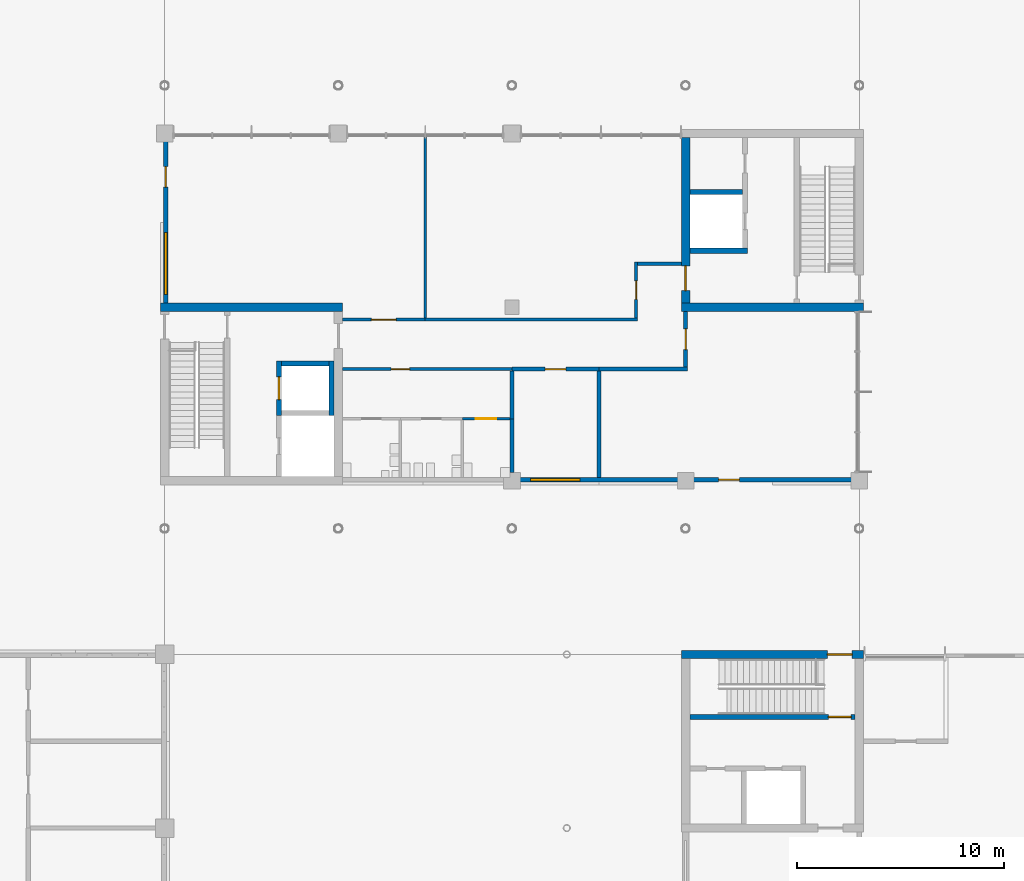
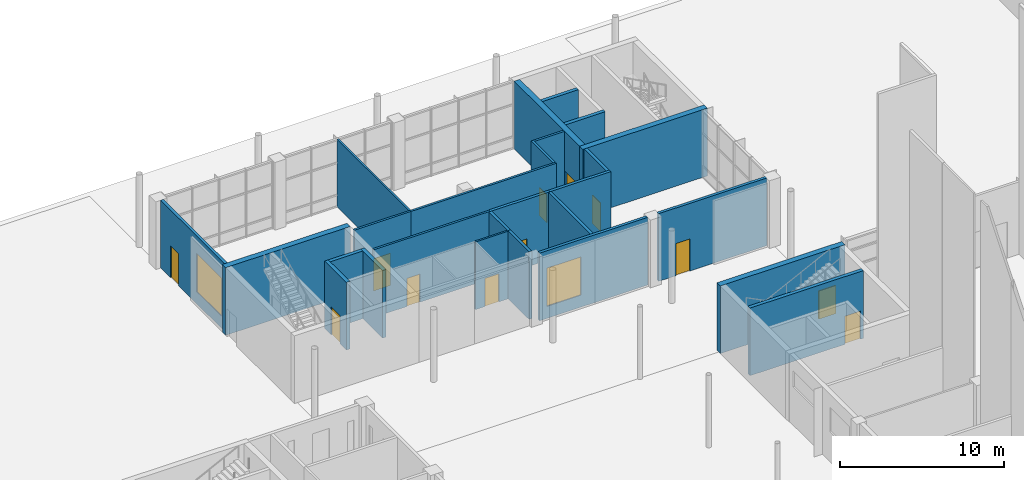
# One storey, part 45 of 76: 26 walls, 12 doors, 2 windows, 14 openings.
"""IFC4 building model written with IfcOpenShell, lengths in metres."""

import ifcopenshell
import ifcopenshell.guid

model = None  # the IFC model being written
_history = None  # IfcOwnerHistory: only IFC2X3 demands one
_inside = {}  # id of a spatial element -> (the spatial element, [elements in it])
_under = {}  # id of a project, library or spatial element -> (it, [spatial elements below it])
_declared = {}  # id of a project -> (the project, [libraries it declares])
_typed = {}  # id of a type object -> (the type object, [elements of that type])
_made_of = {}  # id of a material, layer set ... -> (it, [elements and type objects made of it])


def new_model(schema):
    """Start an empty IFC model of exactly this schema.

    Asked for "IFC4X3", IfcOpenShell would pick the latest addendum, in which some entities
    have other attributes; the version numbers below select the first issue.
    IFC2X3 requires an IfcOwnerHistory on every rooted entity: one is made here for all.
    """
    global model, _history
    if schema == "IFC4X3":
        model = ifcopenshell.file(schema_version=(4, 3, 0, 0))
    else:
        model = ifcopenshell.file(schema=schema)
    _inside.clear()
    _under.clear()
    _declared.clear()
    _typed.clear()
    _made_of.clear()
    _history = None
    if model.schema == "IFC2X3":
        org = make("IfcOrganization", Name="unknown")
        user = make(
            "IfcPersonAndOrganization",
            ThePerson=make("IfcPerson", FamilyName="unknown"),
            TheOrganization=org,
        )
        app = make(
            "IfcApplication",
            ApplicationDeveloper=org,
            Version="unknown",
            ApplicationFullName="unknown",
            ApplicationIdentifier="unknown",
        )
        _history = make(
            "IfcOwnerHistory",
            OwningUser=user,
            OwningApplication=app,
            ChangeAction="ADDED",
            CreationDate=0,
        )
    return model


def make(cls, **values):
    """One entity of the class cls with the attributes given. An attribute that is None is left unset."""
    return model.create_entity(
        cls, **{name: value for name, value in values.items() if value is not None}
    )


def rooted(cls, **values):
    """An entity with a GlobalId (a new one), such as an element, a storey or a relation."""
    return make(cls, GlobalId=ifcopenshell.guid.new(), OwnerHistory=_history, **values)


def si_unit(unit_type, name, prefix=None):
    """IfcSIUnit, for example si_unit("LENGTHUNIT", "METRE", prefix="MILLI")."""
    return make("IfcSIUnit", UnitType=unit_type, Prefix=prefix, Name=name)


def assignment(units):
    """IfcUnitAssignment: the units of a project."""
    return None if units is None else make("IfcUnitAssignment", Units=units)


def point(xyz):
    """IfcCartesianPoint."""
    return None if xyz is None else make("IfcCartesianPoint", Coordinates=xyz)


def direction(xyz):
    """IfcDirection."""
    return None if xyz is None else make("IfcDirection", DirectionRatios=xyz)


def frame(location, z_axis=None, x_axis=None):
    """IfcAxis2Placement3D, a coordinate frame: its origin and axes. An axis left out is left unset."""
    return make(
        "IfcAxis2Placement3D",
        Location=point(location),
        Axis=direction(z_axis),
        RefDirection=direction(x_axis),
    )


def frame_2d(location, x_axis=None):
    """IfcAxis2Placement2D, a coordinate frame in the plane: its origin and x axis."""
    return make(
        "IfcAxis2Placement2D", Location=point(location), RefDirection=direction(x_axis)
    )


def origin():
    """The frame at (0, 0, 0) with its axes left unset."""
    return frame((0.0, 0.0, 0.0))


def place(relative_to, where):
    """IfcLocalPlacement: puts the frame where relative to a parent placement (None: the world)."""
    return make(
        "IfcLocalPlacement", PlacementRelTo=relative_to, RelativePlacement=where
    )


def context(
    kind, dimensions, precision=None, world=None, true_north=None, identifier=None
):
    """IfcGeometricRepresentationContext, for example the 3D "Model" context."""
    return make(
        "IfcGeometricRepresentationContext",
        ContextIdentifier=identifier,
        ContextType=kind,
        CoordinateSpaceDimension=dimensions,
        Precision=precision,
        WorldCoordinateSystem=world,
        TrueNorth=true_north,
    )


def subcontext(parent, identifier, kind, view, scale=None):
    """IfcGeometricRepresentationSubContext, for example "Body" below "Model"."""
    return make(
        "IfcGeometricRepresentationSubContext",
        ContextIdentifier=identifier,
        ContextType=kind,
        ParentContext=parent,
        TargetScale=scale,
        TargetView=view,
    )


def project(units=None, contexts=None):
    """IfcProject with its units and contexts."""
    return rooted(
        "IfcProject",
        Name="project",
        RepresentationContexts=contexts,
        UnitsInContext=assignment(units),
    )


def spatial(cls, under=None, at=None, **own):
    """A site, building, storey or space (cls), placed at a placement, below another one or the project."""
    s = rooted(cls, ObjectPlacement=at, **own)
    if under is not None:
        _under.setdefault(under.id(), (under, []))[1].append(s)
    return s


def profile(cls, at=None, kind="AREA", **sizes):
    """A parametric profile (cls). Its sizes go by their IFC names, for example OverallWidth=200.0."""
    return make(cls, ProfileType=kind, Position=at, **sizes)


def rectangle(**sizes):
    """IfcRectangleProfileDef."""
    return profile("IfcRectangleProfileDef", **sizes)


def extrude(swept, where, along, depth):
    """IfcExtrudedAreaSolid: the profile swept, set in the frame where, extruded along a direction by depth."""
    return make(
        "IfcExtrudedAreaSolid",
        SweptArea=swept,
        Position=where,
        ExtrudedDirection=direction(along),
        Depth=depth,
    )


def shape(context_of_items, identifier, shape_type, items):
    """IfcShapeRepresentation: the items that make up one representation, for example the "Body"."""
    return make(
        "IfcShapeRepresentation",
        ContextOfItems=context_of_items,
        RepresentationIdentifier=identifier,
        RepresentationType=shape_type,
        Items=items,
    )


def material(Name=None, Category=None):
    """IfcMaterial."""
    return make("IfcMaterial", Name=Name, Category=Category)


def layer(
    of_material, thickness, ventilated=None, Name=None, Category=None, Priority=None
):
    """IfcMaterialLayer: one layer of a wall or slab, of a material (None: an air gap)."""
    return make(
        "IfcMaterialLayer",
        Material=of_material,
        LayerThickness=thickness,
        IsVentilated=ventilated,
        Name=Name,
        Category=Category,
        Priority=Priority,
    )


def layer_set(layers, Name=None):
    """IfcMaterialLayerSet."""
    return make("IfcMaterialLayerSet", MaterialLayers=layers, LayerSetName=Name)


def made_of(thing, what):
    """Note that an element or type object is made of a material, layer set ...; save() writes the relation."""
    if what is not None:
        _made_of.setdefault(what.id(), (what, []))[1].append(thing)
    return thing


def type_object(cls, material=None, **own):
    """A type object (cls), such as IfcWallType, which elements share."""
    return made_of(rooted(cls, **own), material)


def element(
    cls,
    number,
    at=None,
    inside=None,
    cuts=None,
    type_object=None,
    material=None,
    context=None,
    identifier="Body",
    shape_type=None,
    held_by="IfcProductDefinitionShape",
    body=None,
    shapes=None,
    **own,
):
    """One element of the class cls, such as IfcWall. Its Tag is "e" and its number.

    at: its placement. inside: the storey or other place that contains it. cuts: it is an
    opening in that element (IfcRelVoidsElement). A single representation is given by context,
    identifier, shape_type and body (its items); several are given by shapes. held_by: the class
    of the entity that holds the representations. save() writes the other relations.
    """
    e = rooted(cls, Tag="e%d" % number, ObjectPlacement=at, **own)
    if body is not None:
        shapes = [shape(context, identifier, shape_type, body)]
    if shapes is not None:
        e.Representation = make(held_by, Representations=shapes)
    if inside is not None:
        _inside.setdefault(inside.id(), (inside, []))[1].append(e)
    if cuts is not None:
        rooted(
            "IfcRelVoidsElement", RelatingBuildingElement=cuts, RelatedOpeningElement=e
        )
    if type_object is not None:
        _typed.setdefault(type_object.id(), (type_object, []))[1].append(e)
    return made_of(e, material)


def fill(opening, filler):
    """IfcRelFillsElement: the door or window that sits in an opening."""
    return rooted(
        "IfcRelFillsElement",
        RelatingOpeningElement=opening,
        RelatedBuildingElement=filler,
    )


def aggregate(whole, parts):
    """IfcRelAggregates: a whole, such as a stair, and the parts it consists of."""
    return rooted("IfcRelAggregates", RelatingObject=whole, RelatedObjects=parts)


def save(model, path):
    """Write the relations noted so far, then the file.

    IfcRelAggregates (storeys below a building ...), IfcRelContainedInSpatialStructure (elements
    in a storey), IfcRelDefinesByType, IfcRelAssociatesMaterial and IfcRelDeclares: one each for
    every whole, place, type object, material and project.
    """
    for whole, parts in _under.values():
        aggregate(whole, parts)
    for where, things in _inside.values():
        rooted(
            "IfcRelContainedInSpatialStructure",
            RelatedElements=things,
            RelatingStructure=where,
        )
    for kind, things in _typed.values():
        rooted("IfcRelDefinesByType", RelatedObjects=things, RelatingType=kind)
    for what, things in _made_of.values():
        rooted("IfcRelAssociatesMaterial", RelatedObjects=things, RelatingMaterial=what)
    for by, libraries in _declared.values():
        rooted("IfcRelDeclares", RelatingContext=by, RelatedDefinitions=libraries)
    model.write(path)


model = new_model("IFC4")

# Units and contexts
model_context = context("Model", 3, precision=1e-05, world=origin(), true_north=direction((0.0, 1.0)))
body_context = subcontext(model_context, "Body", "Model", "MODEL_VIEW")
ifc_project = project(units=[si_unit("LENGTHUNIT", "METRE"), si_unit("AREAUNIT", "SQUARE_METRE"), si_unit("VOLUMEUNIT", "CUBIC_METRE"), si_unit("PLANEANGLEUNIT", "RADIAN"), si_unit("MASSUNIT", "GRAM", prefix="KILO")], contexts=[model_context])

# Site, building, storey
site_placement = place(None, origin())
site = spatial("IfcSite", under=ifc_project, at=site_placement, CompositionType="ELEMENT")
building_placement = place(site_placement, origin())
building = spatial("IfcBuilding", under=site, at=building_placement, Name="Hlaing Beacon Police Headquarters", CompositionType="ELEMENT")
storey_placement = place(building_placement, origin())
storey = spatial("IfcBuildingStorey", under=building, at=storey_placement, Name="L00", CompositionType="ELEMENT", Elevation=0.0)

# Wall
ifc_material_1 = material(Name="Concrete blockwork 7.5 N/mm2", Category="masonry")
ifc_layer_1 = layer(ifc_material_1, 0.199951171875)
ifc_layer_set_1 = layer_set([ifc_layer_1], Name="Concrete blockwork 7.5 N/mm2")
wall_type_1 = type_object("IfcWallType", Name="Compartment wall EI 60 200", PredefinedType="PARTITIONING", material=ifc_layer_set_1)
wall_1_placement = place(storey_placement, frame((54.60009765625, 81.0, 0.0), z_axis=(0.0, 0.0, 1.0), x_axis=(1.0, 0.0, 0.0)))
element("IfcWall", 1, at=wall_1_placement, inside=storey, type_object=wall_type_1, Name="Compartment wall EI 60 200", PredefinedType="PARTITIONING", context=body_context, shape_type="SweptSolid", body=[
    extrude(rectangle(XDim=4.2998046875, YDim=0.199951171875, at=frame_2d((2.14990234375, 0.0))), origin(), (0.0, 0.0, 1.0), 5.050048828125),
])

# Wall, opening, door
wall_2_placement = place(storey_placement, frame((58.800048828125, 81.10009765625, 0.0), z_axis=(0.0, 0.0, 1.0), x_axis=(0.0, 1.0, 0.0)))
wall_2 = element("IfcWall", 2, at=wall_2_placement, inside=storey, type_object=wall_type_1, Name="Compartment wall EI 60 200", PredefinedType="PARTITIONING", context=body_context, shape_type="SweptSolid", body=[
    extrude(rectangle(XDim=2.699951171875, YDim=0.199951171875, at=frame_2d((1.35009765625, 0.0))), origin(), (0.0, 0.0, 1.0), 5.050048828125),
])
opening_1_placement = place(wall_2_placement, frame((0.85009765625, 0.0, 0.0)))
opening_1 = element("IfcOpeningElement", 3, at=opening_1_placement, cuts=wall_2, Name="Opening L00-014", PredefinedType="OPENING", context=body_context, shape_type="SweptSolid", body=[
    extrude(rectangle(XDim=1.0, YDim=2.10009765625, at=frame_2d((0.5, 1.050048828125))), frame((0.0, 0.10986328125, 0.0), z_axis=(0.0, -1.0, 0.0), x_axis=(1.0, 0.0, 0.0)), (0.0, 0.0, 1.0), 0.219970703125),
])
ifc_material_2 = material(Name="Hardwood door leaf", Category="wood")
ifc_layer_2 = layer(ifc_material_2, 0.06005859375)
ifc_layer_set_2 = layer_set([ifc_layer_2], Name="Hardwood door leaf")
door_type_1 = type_object("IfcDoorType", Name="Fire door FD60 1000x2100", OperationType="SINGLE_SWING_LEFT", PredefinedType="DOOR", material=ifc_layer_set_2)
door_1_placement = place(opening_1_placement, frame((1.0, 0.0, 0.0), z_axis=(0.0, 0.0, 1.0), x_axis=(-1.0, 0.0, 0.0)))
door_1 = element("IfcDoor", 4, at=door_1_placement, inside=storey, type_object=door_type_1, Name="Door Communications Equipment Room", OperationType="SINGLE_SWING_RIGHT", OverallHeight=2.10009765625, OverallWidth=1.0, PredefinedType="DOOR", context=body_context, shape_type="SweptSolid", body=[
    extrude(rectangle(XDim=1.0, YDim=2.10009765625, at=frame_2d((0.5, 1.050048828125))), frame((0.0, 0.030029296875, 0.0), z_axis=(0.0, -1.0, 0.0), x_axis=(1.0, 0.0, 0.0)), (0.0, 0.0, 1.0), 0.06005859375),
])
fill(opening_1, door_1)

# Wall
wall_3_placement = place(storey_placement, frame((54.60009765625, 75.75, 0.0), z_axis=(0.0, 0.0, 1.0), x_axis=(0.0, 1.0, 0.0)))
element("IfcWall", 5, at=wall_3_placement, inside=storey, type_object=wall_type_1, Name="Compartment wall EI 60 200", PredefinedType="PARTITIONING", context=body_context, shape_type="SweptSolid", body=[
    extrude(rectangle(XDim=5.14990234375, YDim=0.199951171875, at=frame_2d((2.574951171875, 0.0))), origin(), (0.0, 0.0, 1.0), 5.050048828125),
])

# Wall, opening, door
wall_4_placement = place(storey_placement, frame((50.39990234375, 81.0, 0.0), z_axis=(0.0, 0.0, 1.0), x_axis=(1.0, 0.0, 0.0)))
wall_4 = element("IfcWall", 6, at=wall_4_placement, inside=storey, type_object=wall_type_1, Name="Compartment wall EI 60 200", PredefinedType="PARTITIONING", context=body_context, shape_type="SweptSolid", body=[
    extrude(rectangle(XDim=4.2001953125, YDim=0.199951171875, at=frame_2d((2.10009765625, 0.0))), origin(), (0.0, 0.0, 1.0), 5.050048828125),
])
opening_2_placement = place(wall_4_placement, frame((1.60009765625, 0.0, 0.0)))
opening_2 = element("IfcOpeningElement", 7, at=opening_2_placement, cuts=wall_4, Name="Opening L00-017", PredefinedType="OPENING", context=body_context, shape_type="SweptSolid", body=[
    extrude(rectangle(XDim=1.0, YDim=2.10009765625, at=frame_2d((0.5, 1.050048828125))), frame((0.0, 0.10986328125, 0.0), z_axis=(0.0, -1.0, 0.0), x_axis=(1.0, 0.0, 0.0)), (0.0, 0.0, 1.0), 0.219970703125),
])
door_2_placement = place(opening_2_placement, frame((1.0, 0.0, 0.0), z_axis=(0.0, 0.0, 1.0), x_axis=(-1.0, 0.0, 0.0)))
door_2 = element("IfcDoor", 8, at=door_2_placement, inside=storey, type_object=door_type_1, Name="Door Server and Data Room", OperationType="SINGLE_SWING_LEFT", OverallHeight=2.10009765625, OverallWidth=1.0, PredefinedType="DOOR", context=body_context, shape_type="SweptSolid", body=[
    extrude(rectangle(XDim=1.0, YDim=2.10009765625, at=frame_2d((0.5, 1.050048828125))), frame((0.0, 0.030029296875, 0.0), z_axis=(0.0, -1.0, 0.0), x_axis=(1.0, 0.0, 0.0)), (0.0, 0.0, 1.0), 0.06005859375),
])
fill(opening_2, door_2)

# Walls
wall_5_placement = place(storey_placement, frame((50.39990234375, 76.0, 0.0), z_axis=(0.0, 0.0, 1.0), x_axis=(0.0, 1.0, 0.0)))
element("IfcWall", 9, at=wall_5_placement, inside=storey, type_object=wall_type_1, Name="Compartment wall EI 60 200", PredefinedType="PARTITIONING", context=body_context, shape_type="SweptSolid", body=[
    extrude(rectangle(XDim=2.60009765625, YDim=0.199951171875, at=frame_2d((1.300048828125, 0.0))), origin(), (0.0, 0.0, 1.0), 5.050048828125),
])
wall_6_placement = place(storey_placement, frame((50.39990234375, 78.60009765625, 0.0), z_axis=(0.0, 0.0, 1.0), x_axis=(0.0, 1.0, 0.0)))
element("IfcWall", 10, at=wall_6_placement, inside=storey, type_object=wall_type_1, Name="Compartment wall EI 60 200", PredefinedType="PARTITIONING", context=body_context, shape_type="SweptSolid", body=[
    extrude(rectangle(XDim=2.2998046875, YDim=0.199951171875, at=frame_2d((1.14990234375, 0.0))), origin(), (0.0, 0.0, 1.0), 5.050048828125),
])

# Wall, opening, door
ifc_material_3 = material(Name="Concrete C60/75", Category="concrete")
ifc_layer_3 = layer(ifc_material_3, 0.39990234375)
ifc_layer_set_3 = layer_set([ifc_layer_3], Name="Concrete C60/75")
wall_type_2 = type_object("IfcWallType", Name="Core shear wall 400", PredefinedType="SHEAR", material=ifc_layer_set_3)
wall_7_placement = place(storey_placement, frame((58.60009765625, 67.199951171875, 0.0), z_axis=(0.0, 0.0, 1.0), x_axis=(1.0, 0.0, 0.0)))
wall_7 = element("IfcWall", 11, at=wall_7_placement, inside=storey, type_object=wall_type_2, Name="Core shear wall", PredefinedType="SHEAR", context=body_context, shape_type="SweptSolid", body=[
    extrude(rectangle(XDim=8.7998046875, YDim=0.39990234375, at=frame_2d((4.39990234375, 0.0))), origin(), (0.0, 0.0, 1.0), 5.050048828125),
])
opening_3_placement = place(wall_7_placement, frame((7.050048828125, 0.0, 0.0)))
opening_3 = element("IfcOpeningElement", 12, at=opening_3_placement, cuts=wall_7, Name="Opening L00-909", PredefinedType="OPENING", context=body_context, shape_type="SweptSolid", body=[
    extrude(rectangle(XDim=1.199951171875, YDim=2.10009765625, at=frame_2d((0.60009765625, 1.050048828125))), frame((0.0, 0.2099609375, 0.0), z_axis=(0.0, -1.0, 0.0), x_axis=(1.0, 0.0, 0.0)), (0.0, 0.0, 1.0), 0.419921875),
])
ifc_material_4 = material(Name="Steel fire door leaf", Category="steel")
ifc_layer_4 = layer(ifc_material_4, 0.070068359375)
ifc_layer_set_4 = layer_set([ifc_layer_4], Name="Steel fire door leaf")
door_type_2 = type_object("IfcDoorType", Name="Steel fire door FD60 1200x2100", OperationType="SINGLE_SWING_LEFT", PredefinedType="DOOR", material=ifc_layer_set_4)
door_3_placement = place(opening_3_placement, origin())
door_3 = element("IfcDoor", 13, at=door_3_placement, inside=storey, type_object=door_type_2, Name="Door Stair ST-B Exit", OperationType="SINGLE_SWING_LEFT", OverallHeight=2.10009765625, OverallWidth=1.199951171875, PredefinedType="DOOR", context=body_context, shape_type="SweptSolid", body=[
    extrude(rectangle(XDim=1.199951171875, YDim=2.10009765625, at=frame_2d((0.60009765625, 1.050048828125))), frame((0.0, 0.03515625, 0.0), z_axis=(0.0, -1.0, 0.0), x_axis=(1.0, 0.0, 0.0)), (0.0, 0.0, 1.0), 0.070068359375),
])
fill(opening_3, door_3)

# Walls
wall_8_placement = place(storey_placement, frame((33.39990234375, 84.0, 0.0), z_axis=(0.0, 0.0, 1.0), x_axis=(1.0, 0.0, 0.0)))
element("IfcWall", 14, at=wall_8_placement, inside=storey, type_object=wall_type_2, Name="Core shear wall", PredefinedType="SHEAR", context=body_context, shape_type="SweptSolid", body=[
    extrude(rectangle(XDim=8.800048828125, YDim=0.39990234375, at=frame_2d((4.39990234375, 0.0))), origin(), (0.0, 0.0, 1.0), 5.050048828125),
])
wall_9_placement = place(storey_placement, frame((58.60009765625, 84.0, 0.0), z_axis=(0.0, 0.0, 1.0), x_axis=(1.0, 0.0, 0.0)))
element("IfcWall", 15, at=wall_9_placement, inside=storey, type_object=wall_type_2, Name="Core shear wall", PredefinedType="SHEAR", context=body_context, shape_type="SweptSolid", body=[
    extrude(rectangle(XDim=8.7998046875, YDim=0.39990234375, at=frame_2d((4.39990234375, 0.0))), origin(), (0.0, 0.0, 1.0), 5.050048828125),
])

# Wall, opening, door
wall_10_placement = place(storey_placement, frame((58.800048828125, 84.199951171875, 0.0), z_axis=(0.0, 0.0, 1.0), x_axis=(0.0, 1.0, 0.0)))
wall_10 = element("IfcWall", 16, at=wall_10_placement, inside=storey, type_object=wall_type_2, Name="Core shear wall", PredefinedType="SHEAR", context=body_context, shape_type="SweptSolid", body=[
    extrude(rectangle(XDim=8.0, YDim=0.39990234375, at=frame_2d((4.0, 0.0))), origin(), (0.0, 0.0, 1.0), 5.050048828125),
])
opening_4_placement = place(wall_10_placement, frame((0.60009765625, 0.0, 0.0)))
opening_4 = element("IfcOpeningElement", 17, at=opening_4_placement, cuts=wall_10, Name="Opening L00-924", PredefinedType="OPENING", context=body_context, shape_type="SweptSolid", body=[
    extrude(rectangle(XDim=1.199951171875, YDim=2.10009765625, at=frame_2d((0.60009765625, 1.050048828125))), frame((0.0, 0.2099609375, 0.0), z_axis=(0.0, -1.0, 0.0), x_axis=(1.0, 0.0, 0.0)), (0.0, 0.0, 1.0), 0.419921875),
])
ifc_material_5 = material(Name="Steel fire door leaf", Category="steel")
ifc_layer_5 = layer(ifc_material_5, 0.070068359375)
ifc_layer_set_5 = layer_set([ifc_layer_5], Name="Steel fire door leaf")
door_type_3 = type_object("IfcDoorType", Name="Steel fire door FD60S 1200x2100", OperationType="SINGLE_SWING_LEFT", PredefinedType="DOOR", material=ifc_layer_set_5)
door_4_placement = place(opening_4_placement, frame((1.199951171875, 0.0, 0.0), z_axis=(0.0, 0.0, 1.0), x_axis=(-1.0, 0.0, 0.0)))
door_4 = element("IfcDoor", 18, at=door_4_placement, inside=storey, type_object=door_type_3, Name="Door Stair Lobby ST-F Entry", OperationType="SINGLE_SWING_RIGHT", OverallHeight=2.10009765625, OverallWidth=1.199951171875, PredefinedType="DOOR", context=body_context, shape_type="SweptSolid", body=[
    extrude(rectangle(XDim=1.199951171875, YDim=2.10009765625, at=frame_2d((0.599853515625, 1.050048828125))), frame((0.0, 0.034912109375, 0.0), z_axis=(0.0, -1.0, 0.0), x_axis=(1.0, 0.0, 0.0)), (0.0, 0.0, 1.0), 0.070068359375),
])
fill(opening_4, door_4)

# Wall
ifc_material_6 = material(Name="Gypsum board partition")
ifc_layer_6 = layer(ifc_material_6, 0.14990234375)
ifc_layer_set_6 = layer_set([ifc_layer_6], Name="Gypsum board partition")
wall_type_3 = type_object("IfcWallType", Name="Corridor wall EI 30 150", PredefinedType="PARTITIONING", material=ifc_layer_set_6)
wall_11_placement = place(storey_placement, frame((46.199951171875, 83.39990234375, 0.0), z_axis=(0.0, 0.0, 1.0), x_axis=(1.0, 0.0, 0.0)))
element("IfcWall", 19, at=wall_11_placement, inside=storey, type_object=wall_type_3, Name="Corridor wall EI 30 150", PredefinedType="PARTITIONING", context=body_context, shape_type="SweptSolid", body=[
    extrude(rectangle(XDim=10.275146484375, YDim=0.14990234375, at=frame_2d((5.1376953125, 0.0))), origin(), (0.0, 0.0, 1.0), 5.050048828125),
])

# Wall, opening, door
wall_12_placement = place(storey_placement, frame((56.39990234375, 83.47509765625, 0.0), z_axis=(0.0, 0.0, 1.0), x_axis=(0.0, 1.0, 0.0)))
wall_12 = element("IfcWall", 20, at=wall_12_placement, inside=storey, type_object=wall_type_3, Name="Corridor wall EI 30 150", PredefinedType="PARTITIONING", context=body_context, shape_type="SweptSolid", body=[
    extrude(rectangle(XDim=2.699951171875, YDim=0.14990234375, at=frame_2d((1.35009765625, 0.0))), origin(), (0.0, 0.0, 1.0), 5.050048828125),
])
opening_5_placement = place(wall_12_placement, frame((0.89990234375, 0.0, 0.0)))
opening_5 = element("IfcOpeningElement", 21, at=opening_5_placement, cuts=wall_12, Name="Opening L00-015", PredefinedType="OPENING", context=body_context, shape_type="SweptSolid", body=[
    extrude(rectangle(XDim=0.89990234375, YDim=2.10009765625, at=frame_2d((0.449951171875, 1.050048828125))), frame((0.0, 0.0849609375, 0.0), z_axis=(0.0, -1.0, 0.0), x_axis=(1.0, 0.0, 0.0)), (0.0, 0.0, 1.0), 0.169921875),
])
ifc_material_7 = material(Name="Hardwood door leaf", Category="wood")
ifc_layer_7 = layer(ifc_material_7, 0.050048828125)
ifc_layer_set_7 = layer_set([ifc_layer_7], Name="Hardwood door leaf")
door_type_4 = type_object("IfcDoorType", Name="Fire door FD30S 900x2100", OperationType="SINGLE_SWING_LEFT", PredefinedType="DOOR", material=ifc_layer_set_7)
door_5_placement = place(opening_5_placement, origin())
door_5 = element("IfcDoor", 22, at=door_5_placement, inside=storey, type_object=door_type_4, Name="Door Command Suite Offices", OperationType="SINGLE_SWING_RIGHT", OverallHeight=2.10009765625, OverallWidth=0.89990234375, PredefinedType="DOOR", context=body_context, shape_type="SweptSolid", body=[
    extrude(rectangle(XDim=0.89990234375, YDim=2.10009765625, at=frame_2d((0.449951171875, 1.050048828125))), frame((0.0, 0.02490234375, 0.0), z_axis=(0.0, -1.0, 0.0), x_axis=(1.0, 0.0, 0.0)), (0.0, 0.0, 1.0), 0.050048828125),
])
fill(opening_5, door_5)

# Wall
wall_13_placement = place(storey_placement, frame((56.47509765625, 86.10009765625, 0.0), z_axis=(0.0, 0.0, 1.0), x_axis=(1.0, 0.0, 0.0)))
element("IfcWall", 23, at=wall_13_placement, inside=storey, type_object=wall_type_3, Name="Corridor wall EI 30 150", PredefinedType="PARTITIONING", context=body_context, shape_type="SweptSolid", body=[
    extrude(rectangle(XDim=2.125, YDim=0.14990234375, at=frame_2d((1.0625, 0.0))), origin(), (0.0, 0.0, 1.0), 5.050048828125),
])

# Wall, opening, door
wall_14_placement = place(storey_placement, frame((42.199951171875, 83.39990234375, 0.0), z_axis=(0.0, 0.0, 1.0), x_axis=(1.0, 0.0, 0.0)))
wall_14 = element("IfcWall", 24, at=wall_14_placement, inside=storey, type_object=wall_type_3, Name="Corridor wall EI 30 150", PredefinedType="PARTITIONING", context=body_context, shape_type="SweptSolid", body=[
    extrude(rectangle(XDim=4.0, YDim=0.14990234375, at=frame_2d((2.0, 0.0))), origin(), (0.0, 0.0, 1.0), 5.050048828125),
])
opening_6_placement = place(wall_14_placement, frame((1.39990234375, 0.0, 0.0)))
opening_6 = element("IfcOpeningElement", 25, at=opening_6_placement, cuts=wall_14, Name="Opening L00-016", PredefinedType="OPENING", context=body_context, shape_type="SweptSolid", body=[
    extrude(rectangle(XDim=1.199951171875, YDim=2.39990234375, at=frame_2d((0.60009765625, 1.199951171875))), frame((0.0, 0.0849609375, 0.0), z_axis=(0.0, -1.0, 0.0), x_axis=(1.0, 0.0, 0.0)), (0.0, 0.0, 1.0), 0.169921875),
])
ifc_material_8 = material(Name="Hardwood door leaf", Category="wood")
ifc_layer_8 = layer(ifc_material_8, 0.050048828125)
ifc_layer_set_8 = layer_set([ifc_layer_8], Name="Hardwood door leaf")
door_type_5 = type_object("IfcDoorType", Name="Fire public door FD30S 1200x2400", OperationType="SINGLE_SWING_LEFT", PredefinedType="DOOR", material=ifc_layer_set_8)
door_6_placement = place(opening_6_placement, origin())
door_6 = element("IfcDoor", 26, at=door_6_placement, inside=storey, type_object=door_type_5, Name="Door Incident Management Suite", OperationType="SINGLE_SWING_RIGHT", OverallHeight=2.39990234375, OverallWidth=1.199951171875, PredefinedType="DOOR", context=body_context, shape_type="SweptSolid", body=[
    extrude(rectangle(XDim=1.199951171875, YDim=2.39990234375, at=frame_2d((0.60009765625, 1.199951171875))), frame((0.0, 0.02490234375, 0.0), z_axis=(0.0, -1.0, 0.0), x_axis=(1.0, 0.0, 0.0)), (0.0, 0.0, 1.0), 0.050048828125),
])
fill(opening_6, door_6)

wall_15_placement = place(storey_placement, frame((42.199951171875, 81.0, 0.0), z_axis=(0.0, 0.0, 1.0), x_axis=(1.0, 0.0, 0.0)))
wall_15 = element("IfcWall", 27, at=wall_15_placement, inside=storey, type_object=wall_type_3, Name="Corridor wall EI 30 150", PredefinedType="PARTITIONING", context=body_context, shape_type="SweptSolid", body=[
    extrude(rectangle(XDim=8.199951171875, YDim=0.14990234375, at=frame_2d((4.10009765625, 0.0))), origin(), (0.0, 0.0, 1.0), 5.050048828125),
])
opening_7_placement = place(wall_15_placement, frame((2.35009765625, 0.0, 0.0)))
opening_7 = element("IfcOpeningElement", 28, at=opening_7_placement, cuts=wall_15, Name="Opening L00-020", PredefinedType="OPENING", context=body_context, shape_type="SweptSolid", body=[
    extrude(rectangle(XDim=0.89990234375, YDim=2.10009765625, at=frame_2d((0.449951171875, 1.050048828125))), frame((0.0, 0.0849609375, 0.0), z_axis=(0.0, -1.0, 0.0), x_axis=(1.0, 0.0, 0.0)), (0.0, 0.0, 1.0), 0.169921875),
])
door_7_placement = place(opening_7_placement, frame((0.89990234375, 0.0, 0.0), z_axis=(0.0, 0.0, 1.0), x_axis=(-1.0, 0.0, 0.0)))
door_7 = element("IfcDoor", 29, at=door_7_placement, inside=storey, type_object=door_type_4, Name="Door WC Lobby", OperationType="SINGLE_SWING_RIGHT", OverallHeight=2.10009765625, OverallWidth=0.89990234375, PredefinedType="DOOR", context=body_context, shape_type="SweptSolid", body=[
    extrude(rectangle(XDim=0.89990234375, YDim=2.10009765625, at=frame_2d((0.449951171875, 1.050048828125))), frame((0.0, 0.025146484375, 0.0), z_axis=(0.0, -1.0, 0.0), x_axis=(1.0, 0.0, 0.0)), (0.0, 0.0, 1.0), 0.050048828125),
])
fill(opening_7, door_7)

# Wall, openings, door, window
ifc_material_9 = material(Name="Insulated aluminium cladding system", Category="aluminium")
ifc_layer_9 = layer(ifc_material_9, 0.199951171875)
ifc_layer_set_9 = layer_set([ifc_layer_9], Name="Insulated aluminium cladding system")
wall_type_4 = type_object("IfcWallType", Name="Insulated aluminium clad wall 200", PredefinedType="SOLIDWALL", material=ifc_layer_set_9)
wall_16_placement = place(storey_placement, frame((33.64990234375, 92.02001953125, 0.0), z_axis=(0.0, 0.0, 1.0), x_axis=(0.0, -1.0, 0.0)))
wall_16 = element("IfcWall", 30, at=wall_16_placement, inside=storey, type_object=wall_type_4, Name="External wall L00 W050", PredefinedType="SOLIDWALL", context=body_context, shape_type="SweptSolid", body=[
    extrude(rectangle(XDim=7.820068359375, YDim=0.199951171875, at=frame_2d((3.91015625, 0.0))), origin(), (0.0, 0.0, 1.0), 5.050048828125),
])
opening_8_placement = place(wall_16_placement, frame((1.219970703125, 0.0, 0.0)))
opening_8 = element("IfcOpeningElement", 31, at=opening_8_placement, cuts=wall_16, Name="Opening L00-821", PredefinedType="OPENING", context=body_context, shape_type="SweptSolid", body=[
    extrude(rectangle(XDim=1.0, YDim=2.39990234375, at=frame_2d((0.5, 1.199951171875))), frame((0.0, 0.10986328125, 0.0), z_axis=(0.0, -1.0, 0.0), x_axis=(1.0, 0.0, 0.0)), (0.0, 0.0, 1.0), 0.219970703125),
])
opening_9_placement = place(wall_16_placement, frame((4.419921875, 0.0, 0.89990234375)))
opening_9 = element("IfcOpeningElement", 32, at=opening_9_placement, cuts=wall_16, Name="Opening WN12", PredefinedType="OPENING", context=body_context, shape_type="SweptSolid", body=[
    extrude(rectangle(XDim=3.0, YDim=2.85009765625, at=frame_2d((1.5, 1.425048828125))), frame((0.0, 0.10986328125, 0.0), z_axis=(0.0, -1.0, 0.0), x_axis=(1.0, 0.0, 0.0)), (0.0, 0.0, 1.0), 0.219970703125),
])
ifc_material_10 = material(Name="Steel door", Category="steel")
door_type_6 = type_object("IfcDoorType", Name="Door 1000x2400", OperationType="SINGLE_SWING_LEFT", PredefinedType="DOOR", material=ifc_material_10)
door_8_placement = place(opening_8_placement, frame((1.0, 0.0, 0.0), z_axis=(0.0, 0.0, 1.0), x_axis=(-1.0, 0.0, 0.0)))
door_8 = element("IfcDoor", 33, at=door_8_placement, inside=storey, type_object=door_type_6, Name="Door Incident Management Suite", OperationType="SINGLE_SWING_LEFT", OverallHeight=2.39990234375, OverallWidth=1.0, PredefinedType="DOOR", context=body_context, shape_type="SweptSolid", body=[
    extrude(rectangle(XDim=1.0, YDim=2.39990234375, at=frame_2d((0.5, 1.199951171875))), frame((0.0, 0.025146484375, 0.0), z_axis=(0.0, -1.0, 0.0), x_axis=(1.0, 0.0, 0.0)), (0.0, 0.0, 1.0), 0.050048828125),
])
fill(opening_8, door_8)
ifc_material_11 = material(Name="Aluminium frame with solar control glazing", Category="aluminium")
window_type_1 = type_object("IfcWindowType", Name="Open plan window 3000x2850 frame 100", PartitioningType="SINGLE_PANEL", PredefinedType="WINDOW", material=ifc_material_11)
window_1_placement = place(opening_9_placement, origin())
window_1 = element("IfcWindow", 34, at=window_1_placement, inside=storey, type_object=window_type_1, Name="Window L00 WO", OverallHeight=2.85009765625, OverallWidth=3.0, PartitioningType="SINGLE_PANEL", PredefinedType="WINDOW", context=body_context, shape_type="SweptSolid", body=[
    extrude(rectangle(XDim=3.0, YDim=2.85009765625, at=frame_2d((1.5, 1.425048828125))), frame((0.0, 0.050048828125, 0.0), z_axis=(0.0, -1.0, 0.0), x_axis=(1.0, 0.0, 0.0)), (0.0, 0.0, 1.0), 0.10009765625),
])
fill(opening_9, window_1)

# Wall, opening, window
wall_17_placement = place(storey_placement, frame((50.780029296875, 75.64990234375, 0.0), z_axis=(0.0, 0.0, 1.0), x_axis=(1.0, 0.0, 0.0)))
wall_17 = element("IfcWall", 35, at=wall_17_placement, inside=storey, type_object=wall_type_4, Name="External wall L00 S052", PredefinedType="SOLIDWALL", context=body_context, shape_type="SweptSolid", body=[
    extrude(rectangle(XDim=7.639892578125, YDim=0.199951171875, at=frame_2d((3.81982421875, 0.0))), origin(), (0.0, 0.0, 1.0), 5.050048828125),
])
opening_10_placement = place(wall_17_placement, frame((0.52001953125, 0.0, 0.89990234375)))
opening_10 = element("IfcOpeningElement", 36, at=opening_10_placement, cuts=wall_17, Name="Opening WN13", PredefinedType="OPENING", context=body_context, shape_type="SweptSolid", body=[
    extrude(rectangle(XDim=2.39990234375, YDim=2.85009765625, at=frame_2d((1.199951171875, 1.425048828125))), frame((0.0, 0.10986328125, 0.0), z_axis=(0.0, -1.0, 0.0), x_axis=(1.0, 0.0, 0.0)), (0.0, 0.0, 1.0), 0.219970703125),
])
ifc_material_12 = material(Name="Aluminium frame with solar control glazing", Category="aluminium")
window_type_2 = type_object("IfcWindowType", Name="Window 2400x2850 frame 100", PartitioningType="SINGLE_PANEL", PredefinedType="WINDOW", material=ifc_material_12)
window_2_placement = place(opening_10_placement, origin())
window_2 = element("IfcWindow", 37, at=window_2_placement, inside=storey, type_object=window_type_2, Name="Window L00 WA", OverallHeight=2.85009765625, OverallWidth=2.39990234375, PartitioningType="SINGLE_PANEL", PredefinedType="WINDOW", context=body_context, shape_type="SweptSolid", body=[
    extrude(rectangle(XDim=2.39990234375, YDim=2.85009765625, at=frame_2d((1.199951171875, 1.425048828125))), frame((0.0, 0.050048828125, 0.0), z_axis=(0.0, -1.0, 0.0), x_axis=(1.0, 0.0, 0.0)), (0.0, 0.0, 1.0), 0.10009765625),
])
fill(opening_10, window_2)

# Wall, opening, door
wall_18_placement = place(storey_placement, frame((59.179931640625, 75.64990234375, 0.0), z_axis=(0.0, 0.0, 1.0), x_axis=(1.0, 0.0, 0.0)))
wall_18 = element("IfcWall", 38, at=wall_18_placement, inside=storey, type_object=wall_type_4, Name="External wall L00 S053", PredefinedType="SOLIDWALL", context=body_context, shape_type="SweptSolid", body=[
    extrude(rectangle(XDim=7.64013671875, YDim=0.199951171875, at=frame_2d((3.820068359375, 0.0))), origin(), (0.0, 0.0, 1.0), 5.050048828125),
])
opening_11_placement = place(wall_18_placement, frame((1.219970703125, 0.0, 0.0)))
opening_11 = element("IfcOpeningElement", 39, at=opening_11_placement, cuts=wall_18, Name="Opening L00-822", PredefinedType="OPENING", context=body_context, shape_type="SweptSolid", body=[
    extrude(rectangle(XDim=1.0, YDim=2.39990234375, at=frame_2d((0.5, 1.199951171875))), frame((0.0, 0.10986328125, 0.0), z_axis=(0.0, -1.0, 0.0), x_axis=(1.0, 0.0, 0.0)), (0.0, 0.0, 1.0), 0.219970703125),
])
door_9_placement = place(opening_11_placement, frame((1.0, 0.0, 0.0), z_axis=(0.0, 0.0, 1.0), x_axis=(-1.0, 0.0, 0.0)))
door_9 = element("IfcDoor", 40, at=door_9_placement, inside=storey, type_object=door_type_6, Name="Door Communications Equipment Room", OperationType="SINGLE_SWING_LEFT", OverallHeight=2.39990234375, OverallWidth=1.0, PredefinedType="DOOR", context=body_context, shape_type="SweptSolid", body=[
    extrude(rectangle(XDim=1.0, YDim=2.39990234375, at=frame_2d((0.5, 1.199951171875))), frame((0.0, 0.025146484375, 0.0), z_axis=(0.0, -1.0, 0.0), x_axis=(1.0, 0.0, 0.0)), (0.0, 0.0, 1.0), 0.050048828125),
])
fill(opening_11, door_9)

# Wall
ifc_material_13 = material(Name="Gypsum board partition")
ifc_layer_10 = layer(ifc_material_13, 0.125)
ifc_layer_set_10 = layer_set([ifc_layer_10], Name="Gypsum board partition")
wall_type_5 = type_object("IfcWallType", Name="Partition 125", PredefinedType="PARTITIONING", material=ifc_layer_set_10)
wall_19_placement = place(storey_placement, frame((46.199951171875, 83.47509765625, 0.0), z_axis=(0.0, 0.0, 1.0), x_axis=(0.0, 1.0, 0.0)))
element("IfcWall", 41, at=wall_19_placement, inside=storey, type_object=wall_type_5, Name="Partition 125", PredefinedType="PARTITIONING", context=body_context, shape_type="SweptSolid", body=[
    extrude(rectangle(XDim=8.77490234375, YDim=0.125, at=frame_2d((4.387451171875, 0.0))), origin(), (0.0, 0.0, 1.0), 5.050048828125),
])

# Wall, opening, door
wall_20_placement = place(storey_placement, frame((48.0, 78.60009765625, 0.0), z_axis=(0.0, 0.0, 1.0), x_axis=(1.0, 0.0, 0.0)))
wall_20 = element("IfcWall", 42, at=wall_20_placement, inside=storey, type_object=wall_type_5, Name="Partition 125", PredefinedType="PARTITIONING", context=body_context, shape_type="SweptSolid", body=[
    extrude(rectangle(XDim=2.300048828125, YDim=0.125, at=frame_2d((1.14990234375, 0.0))), origin(), (0.0, 0.0, 1.0), 5.050048828125),
])
opening_12_placement = place(wall_20_placement, frame((0.64990234375, 0.0, 0.0)))
opening_12 = element("IfcOpeningElement", 43, at=opening_12_placement, cuts=wall_20, Name="Opening L00-018", PredefinedType="OPENING", context=body_context, shape_type="SweptSolid", body=[
    extrude(rectangle(XDim=1.0, YDim=2.10009765625, at=frame_2d((0.5, 1.050048828125))), frame((0.0, 0.072509765625, 0.0), z_axis=(0.0, -1.0, 0.0), x_axis=(1.0, 0.0, 0.0)), (0.0, 0.0, 1.0), 0.14501953125),
])
ifc_material_14 = material(Name="Hardwood door leaf", Category="wood")
ifc_layer_11 = layer(ifc_material_14, 0.0400390625)
ifc_layer_set_11 = layer_set([ifc_layer_11], Name="Hardwood door leaf")
door_type_7 = type_object("IfcDoorType", Name="Door 1000x2100", OperationType="SINGLE_SWING_LEFT", PredefinedType="DOOR", material=ifc_layer_set_11)
door_10_placement = place(opening_12_placement, frame((1.0, 0.0, 0.0), z_axis=(0.0, 0.0, 1.0), x_axis=(-1.0, 0.0, 0.0)))
door_10 = element("IfcDoor", 44, at=door_10_placement, inside=storey, type_object=door_type_7, Name="Door Accessible WC", OperationType="SINGLE_SWING_RIGHT", OverallHeight=2.10009765625, OverallWidth=1.0, PredefinedType="DOOR", context=body_context, shape_type="SweptSolid", body=[
    extrude(rectangle(XDim=1.0, YDim=2.10009765625, at=frame_2d((0.5, 1.050048828125))), frame((0.0, 0.02001953125, 0.0), z_axis=(0.0, -1.0, 0.0), x_axis=(1.0, 0.0, 0.0)), (0.0, 0.0, 1.0), 0.0400390625),
])
fill(opening_12, door_10)

ifc_material_15 = material(Name="Concrete C40/50", Category="concrete")
ifc_layer_12 = layer(ifc_material_15, 0.25)
ifc_layer_set_12 = layer_set([ifc_layer_12], Name="Concrete C40/50")
wall_type_6 = type_object("IfcWallType", Name="Shaft wall 250", PredefinedType="SOLIDWALL", material=ifc_layer_set_12)
wall_21_placement = place(storey_placement, frame((67.0, 64.175048828125, 0.0), z_axis=(0.0, 0.0, 1.0), x_axis=(-1.0, 0.0, 0.0)))
wall_21 = element("IfcWall", 45, at=wall_21_placement, inside=storey, type_object=wall_type_6, Name="Stair enclosure wall", PredefinedType="SOLIDWALL", context=body_context, shape_type="SweptSolid", body=[
    extrude(rectangle(XDim=8.0, YDim=0.25, at=frame_2d((4.0, 0.0))), origin(), (0.0, 0.0, 1.0), 5.050048828125),
])
opening_13_placement = place(wall_21_placement, frame((0.199951171875, 0.0, 0.0)))
opening_13 = element("IfcOpeningElement", 46, at=opening_13_placement, cuts=wall_21, Name="Opening L00-908", PredefinedType="OPENING", context=body_context, shape_type="SweptSolid", body=[
    extrude(rectangle(XDim=1.10009765625, YDim=2.10009765625, at=frame_2d((0.550048828125, 1.050048828125))), frame((0.0, 0.135009765625, 0.0), z_axis=(0.0, -1.0, 0.0), x_axis=(1.0, 0.0, 0.0)), (0.0, 0.0, 1.0), 0.27001953125),
])
ifc_material_16 = material(Name="Steel fire door leaf", Category="steel")
ifc_layer_13 = layer(ifc_material_16, 0.070068359375)
ifc_layer_set_13 = layer_set([ifc_layer_13], Name="Steel fire door leaf")
door_type_8 = type_object("IfcDoorType", Name="Steel fire door FD60 1100x2100", OperationType="SINGLE_SWING_LEFT", PredefinedType="DOOR", material=ifc_layer_set_13)
door_11_placement = place(opening_13_placement, frame((1.10009765625, 0.0, 0.0), z_axis=(0.0, 0.0, 1.0), x_axis=(-1.0, 0.0, 0.0)))
door_11 = element("IfcDoor", 47, at=door_11_placement, inside=storey, type_object=door_type_8, Name="Door Stair ST-B", OperationType="SINGLE_SWING_LEFT", OverallHeight=2.10009765625, OverallWidth=1.10009765625, PredefinedType="DOOR", context=body_context, shape_type="SweptSolid", body=[
    extrude(rectangle(XDim=1.10009765625, YDim=2.10009765625, at=frame_2d((0.550048828125, 1.050048828125))), frame((0.0, 0.034912109375, 0.0), z_axis=(0.0, -1.0, 0.0), x_axis=(1.0, 0.0, 0.0)), (0.0, 0.0, 1.0), 0.070068359375),
])
fill(opening_13, door_11)

# Walls
wall_22_placement = place(storey_placement, frame((61.800048828125, 86.72509765625, 0.0), z_axis=(0.0, 0.0, 1.0), x_axis=(-1.0, 0.0, 0.0)))
element("IfcWall", 48, at=wall_22_placement, inside=storey, type_object=wall_type_6, Name="Lobby wall", PredefinedType="SOLIDWALL", context=body_context, shape_type="SweptSolid", body=[
    extrude(rectangle(XDim=2.800048828125, YDim=0.25, at=frame_2d((1.39990234375, 0.0))), origin(), (0.0, 0.0, 1.0), 5.050048828125),
])
wall_23_placement = place(storey_placement, frame((61.550048828125, 89.574951171875, 0.0), z_axis=(0.0, 0.0, 1.0), x_axis=(-1.0, 0.0, 0.0)))
element("IfcWall", 49, at=wall_23_placement, inside=storey, type_object=wall_type_6, Name="Riser wall", PredefinedType="SOLIDWALL", context=body_context, shape_type="SweptSolid", body=[
    extrude(rectangle(XDim=2.550048828125, YDim=0.25, at=frame_2d((1.27490234375, 0.0))), origin(), (0.0, 0.0, 1.0), 5.050048828125),
])
wall_24_placement = place(storey_placement, frame((41.675048828125, 78.75, 0.0), z_axis=(0.0, 0.0, 1.0), x_axis=(0.0, 1.0, 0.0)))
element("IfcWall", 50, at=wall_24_placement, inside=storey, type_object=wall_type_6, Name="Lift shaft wall PL3", PredefinedType="SOLIDWALL", context=body_context, shape_type="SweptSolid", body=[
    extrude(rectangle(XDim=2.64990234375, YDim=0.25, at=frame_2d((1.324951171875, 0.0))), origin(), (0.0, 0.0, 1.0), 5.050048828125),
])
wall_25_placement = place(storey_placement, frame((39.25, 81.27490234375, 0.0), z_axis=(0.0, 0.0, 1.0), x_axis=(1.0, 0.0, 0.0)))
element("IfcWall", 51, at=wall_25_placement, inside=storey, type_object=wall_type_6, Name="Lift shaft wall PL3", PredefinedType="SOLIDWALL", context=body_context, shape_type="SweptSolid", body=[
    extrude(rectangle(XDim=2.300048828125, YDim=0.25, at=frame_2d((1.14990234375, 0.0))), origin(), (0.0, 0.0, 1.0), 5.050048828125),
])

# Wall, opening, door
wall_26_placement = place(storey_placement, frame((39.125, 78.75, 0.0), z_axis=(0.0, 0.0, 1.0), x_axis=(0.0, 1.0, 0.0)))
wall_26 = element("IfcWall", 52, at=wall_26_placement, inside=storey, type_object=wall_type_6, Name="Lift shaft wall PL3", PredefinedType="SOLIDWALL", context=body_context, shape_type="SweptSolid", body=[
    extrude(rectangle(XDim=2.64990234375, YDim=0.25, at=frame_2d((1.324951171875, 0.0))), origin(), (0.0, 0.0, 1.0), 5.050048828125),
])
opening_14_placement = place(wall_26_placement, frame((0.77490234375, 0.0, 0.0)))
opening_14 = element("IfcOpeningElement", 53, at=opening_14_placement, cuts=wall_26, Name="Opening LD-PL3-L00", PredefinedType="OPENING", context=body_context, shape_type="SweptSolid", body=[
    extrude(rectangle(XDim=1.10009765625, YDim=2.10009765625, at=frame_2d((0.550048828125, 1.050048828125))), frame((0.0, 0.135009765625, 0.0), z_axis=(0.0, -1.0, 0.0), x_axis=(1.0, 0.0, 0.0)), (0.0, 0.0, 1.0), 0.27001953125),
])
ifc_material_17 = material(Name="Stainless steel lift landing door", Category="steel")
ifc_layer_14 = layer(ifc_material_17, 0.06005859375)
ifc_layer_set_14 = layer_set([ifc_layer_14], Name="Stainless steel lift landing door")
door_type_9 = type_object("IfcDoorType", Name="Lift landing door 1100x2100", OperationType="DOUBLE_DOOR_SLIDING", PredefinedType="DOOR", material=ifc_layer_set_14)
door_12_placement = place(opening_14_placement, origin())
door_12 = element("IfcDoor", 54, at=door_12_placement, inside=storey, type_object=door_type_9, Name="Landing door PL3 L00", OperationType="DOUBLE_DOOR_SLIDING", OverallHeight=2.10009765625, OverallWidth=1.10009765625, PredefinedType="DOOR", context=body_context, shape_type="SweptSolid", body=[
    extrude(rectangle(XDim=1.10009765625, YDim=2.10009765625, at=frame_2d((0.550048828125, 1.050048828125))), frame((0.0, 0.0400390625, 0.0), z_axis=(0.0, -1.0, 0.0), x_axis=(1.0, 0.0, 0.0)), (0.0, 0.0, 1.0), 0.080078125),
])
fill(opening_14, door_12)

save(model, "model.ifc")
